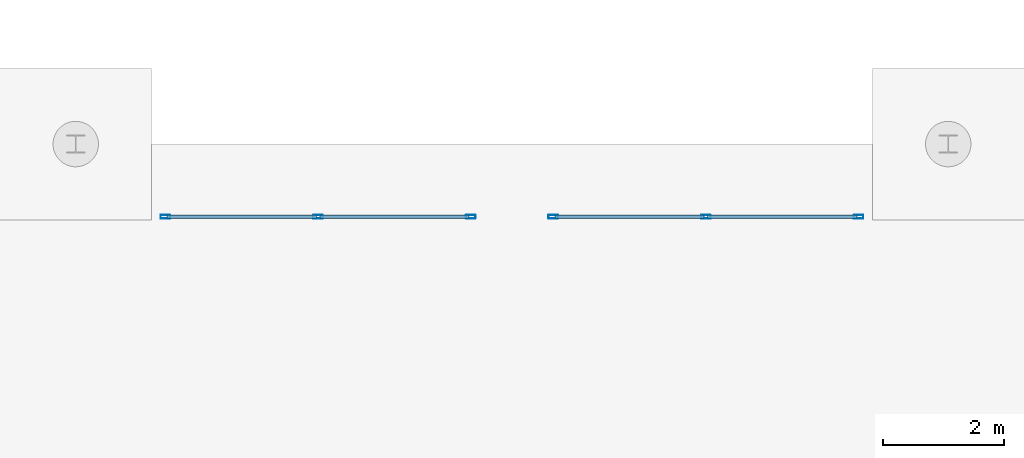
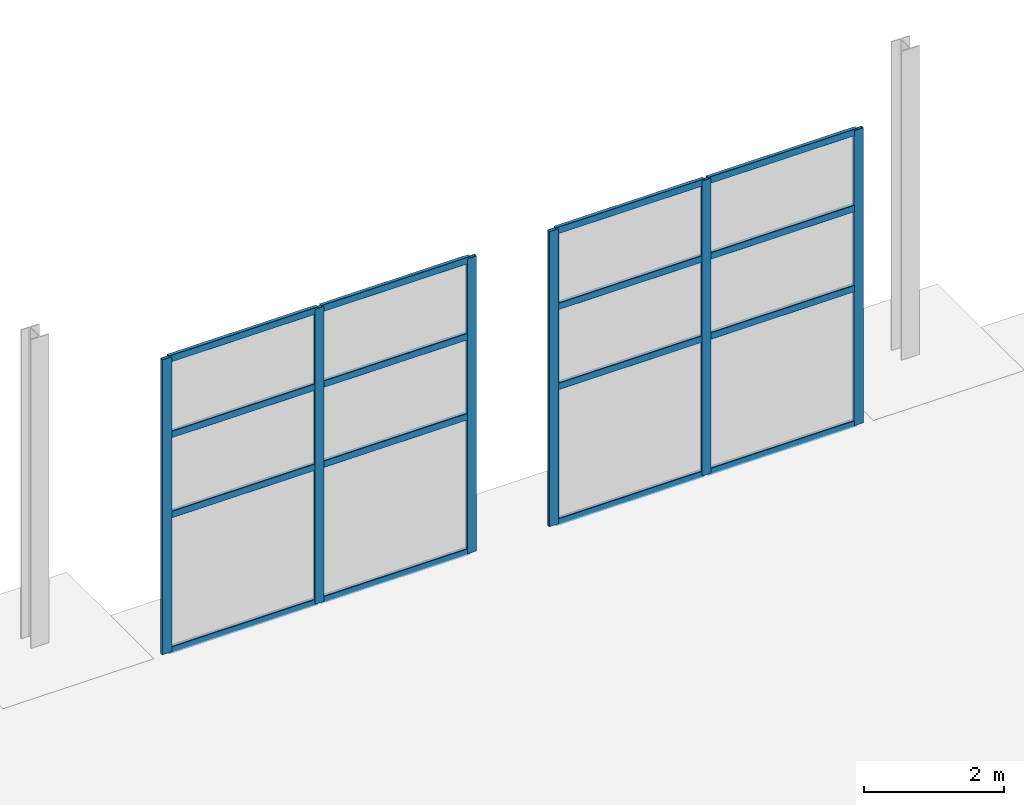
# One storey, part 41 of 91: 22 members, 2 elements without a shape of their own.
"""IFC4 building model written with IfcOpenShell, lengths in metres."""

from ifc_helpers import new_model, si_unit, direction, frame, origin, origin_2d, place, context, subcontext, project, spatial, hollow_rectangle, extrude, material, material_profile, profile_set, type_object, element, aggregate, save


model = new_model("IFC4")

# Units and contexts
model_context = context("Model", 3, precision=1e-05, world=origin(), true_north=direction((0.0, 1.0)))
body_context = subcontext(model_context, "Body", "Model", "MODEL_VIEW")
ifc_project = project(units=[si_unit("LENGTHUNIT", "METRE"), si_unit("AREAUNIT", "SQUARE_METRE"), si_unit("VOLUMEUNIT", "CUBIC_METRE"), si_unit("PLANEANGLEUNIT", "RADIAN"), si_unit("MASSUNIT", "GRAM", prefix="KILO")], contexts=[model_context])

# Site, building, storey
site_placement = place(None, origin())
site = spatial("IfcSite", under=ifc_project, at=site_placement, CompositionType="ELEMENT")
building_placement = place(site_placement, origin())
building = spatial("IfcBuilding", under=site, at=building_placement, Name="Bramveld Media Centre", CompositionType="ELEMENT")
storey_placement = place(building_placement, origin())
storey = spatial("IfcBuildingStorey", under=building, at=storey_placement, Name="L00", CompositionType="ELEMENT", Elevation=0.0)

# Curtain wall, members
ifc_material_1 = material(Name="Thermally broken anodized bronze aluminium unitized curtain wall with solar-control triple glazing", Category="aluminium")
curtain_wall_type = type_object("IfcCurtainWallType", Name="CW-GAL-5100x5160", PredefinedType="NOTDEFINED", material=ifc_material_1)
curtain_wall_1_placement = place(storey_placement, origin())
curtain_wall_1 = element("IfcCurtainWall", 1, at=curtain_wall_1_placement, inside=storey, type_object=curtain_wall_type, Name="COLN-N colonnade glazed screen 4", PredefinedType="NOTDEFINED")
ifc_material_2 = material(Name="Thermally broken anodized bronze aluminium EN AW-6063 T6 curtain-wall framing", Category="aluminium")
ifc_material_profile_1 = material_profile(ifc_material_2, hollow_rectangle(XDim=0.06005859375, YDim=0.159912109375, WallThickness=0.00390625, InnerFilletRadius=0.00390625, OuterFilletRadius=0.008056640625, at=origin_2d()), Name="AL-MULL 60x160")
ifc_profile_set_1 = profile_set([ifc_material_profile_1], Name="Thermally broken anodized bronze aluminium EN AW-6063 T6 curtain-wall framing")
member_type_1 = type_object("IfcMemberType", Name="CW-MULL-EXT", PredefinedType="MULLION", material=ifc_profile_set_1)
member_1_placement = place(storey_placement, frame((15.8798828125, 110.800048828125, 0.0), z_axis=(0.0, 0.0, 1.0), x_axis=(0.0, 1.0, 0.0)))
member_1 = element("IfcMember", 2, at=member_1_placement, type_object=member_type_1, Name="CW-GA-5151 mullion 1", PredefinedType="MULLION", context=body_context, shape_type="SweptSolid", body=[
    extrude(hollow_rectangle(XDim=0.06005859375, YDim=0.159912109375, WallThickness=0.00390625, InnerFilletRadius=0.00390625, OuterFilletRadius=0.008056640625, at=origin_2d()), origin(), (0.0, 0.0, 1.0), 5.159912109375),
])
member_2_placement = place(storey_placement, frame((18.39990234375, 110.800048828125, 0.0), z_axis=(0.0, 0.0, 1.0), x_axis=(0.0, 1.0, 0.0)))
member_2 = element("IfcMember", 3, at=member_2_placement, type_object=member_type_1, Name="CW-GA-5151 mullion 2", PredefinedType="MULLION", context=body_context, shape_type="SweptSolid", body=[
    extrude(hollow_rectangle(XDim=0.06005859375, YDim=0.159912109375, WallThickness=0.00390625, InnerFilletRadius=0.00390625, OuterFilletRadius=0.008056640625, at=origin_2d()), origin(), (0.0, 0.0, 1.0), 5.159912109375),
])
member_3_placement = place(storey_placement, frame((20.919921875, 110.800048828125, 0.0), z_axis=(0.0, 0.0, 1.0), x_axis=(0.0, 1.0, 0.0)))
member_3 = element("IfcMember", 4, at=member_3_placement, type_object=member_type_1, Name="CW-GA-5151 mullion 3", PredefinedType="MULLION", context=body_context, shape_type="SweptSolid", body=[
    extrude(hollow_rectangle(XDim=0.06005859375, YDim=0.159912109375, WallThickness=0.00390625, InnerFilletRadius=0.00390625, OuterFilletRadius=0.008056640625, at=origin_2d()), origin(), (0.0, 0.0, 1.0), 5.159912109375),
])

curtain_wall_2_placement = place(storey_placement, origin())
curtain_wall_2 = element("IfcCurtainWall", 5, at=curtain_wall_2_placement, inside=storey, type_object=curtain_wall_type, Name="COLN-N colonnade glazed screen 5", PredefinedType="NOTDEFINED")
member_4_placement = place(storey_placement, frame((22.280029296875, 110.800048828125, 0.0), z_axis=(0.0, 0.0, 1.0), x_axis=(0.0, 1.0, 0.0)))
member_4 = element("IfcMember", 6, at=member_4_placement, type_object=member_type_1, Name="CW-GA-5151 mullion 1", PredefinedType="MULLION", context=body_context, shape_type="SweptSolid", body=[
    extrude(hollow_rectangle(XDim=0.06005859375, YDim=0.159912109375, WallThickness=0.00390625, InnerFilletRadius=0.00390625, OuterFilletRadius=0.008056640625, at=origin_2d()), origin(), (0.0, 0.0, 1.0), 5.159912109375),
])
member_5_placement = place(storey_placement, frame((24.800048828125, 110.800048828125, 0.0), z_axis=(0.0, 0.0, 1.0), x_axis=(0.0, 1.0, 0.0)))
member_5 = element("IfcMember", 7, at=member_5_placement, type_object=member_type_1, Name="CW-GA-5151 mullion 2", PredefinedType="MULLION", context=body_context, shape_type="SweptSolid", body=[
    extrude(hollow_rectangle(XDim=0.06005859375, YDim=0.159912109375, WallThickness=0.00390625, InnerFilletRadius=0.00390625, OuterFilletRadius=0.008056640625, at=origin_2d()), origin(), (0.0, 0.0, 1.0), 5.159912109375),
])
member_6_placement = place(storey_placement, frame((27.320068359375, 110.800048828125, 0.0), z_axis=(0.0, 0.0, 1.0), x_axis=(0.0, 1.0, 0.0)))
member_6 = element("IfcMember", 8, at=member_6_placement, type_object=member_type_1, Name="CW-GA-5151 mullion 3", PredefinedType="MULLION", context=body_context, shape_type="SweptSolid", body=[
    extrude(hollow_rectangle(XDim=0.06005859375, YDim=0.159912109375, WallThickness=0.00390625, InnerFilletRadius=0.00390625, OuterFilletRadius=0.008056640625, at=origin_2d()), origin(), (0.0, 0.0, 1.0), 5.159912109375),
])

# Member
ifc_material_3 = material(Name="Thermally broken anodized bronze aluminium EN AW-6063 T6 curtain-wall framing", Category="aluminium")
ifc_material_profile_2 = material_profile(ifc_material_3, hollow_rectangle(XDim=0.06005859375, YDim=0.1201171875, WallThickness=0.00341796875, InnerFilletRadius=0.00341796875, OuterFilletRadius=0.007080078125, at=origin_2d()), Name="AL-TRAN 60x120")
ifc_profile_set_2 = profile_set([ifc_material_profile_2], Name="Thermally broken anodized bronze aluminium EN AW-6063 T6 curtain-wall framing")
member_type_2 = type_object("IfcMemberType", Name="CW-TRAN-EXT", PredefinedType="USERDEFINED", material=ifc_profile_set_2)
member_7_placement = place(storey_placement, frame((15.909912109375, 110.800048828125, 0.030029296875), z_axis=(1.0, 0.0, 0.0), x_axis=(0.0, 1.0, 0.0)))
member_7 = element("IfcMember", 9, at=member_7_placement, type_object=member_type_2, Name="CW-GA-5151 transom 1.1", ObjectType="TRANSOM", PredefinedType="USERDEFINED", context=body_context, shape_type="SweptSolid", body=[
    extrude(hollow_rectangle(XDim=0.06005859375, YDim=0.1201171875, WallThickness=0.00341796875, InnerFilletRadius=0.00341796875, OuterFilletRadius=0.007080078125, at=origin_2d()), origin(), (0.0, 0.0, 1.0), 2.460205078125),
])

member_8_placement = place(storey_placement, frame((15.909912109375, 110.800048828125, 2.39990234375), z_axis=(1.0, 0.0, 0.0), x_axis=(0.0, 1.0, 0.0)))
member_8 = element("IfcMember", 10, at=member_8_placement, type_object=member_type_2, Name="CW-GA-5151 transom 1.2", ObjectType="TRANSOM", PredefinedType="USERDEFINED", context=body_context, shape_type="SweptSolid", body=[
    extrude(hollow_rectangle(XDim=0.06005859375, YDim=0.1201171875, WallThickness=0.00341796875, InnerFilletRadius=0.00341796875, OuterFilletRadius=0.007080078125, at=origin_2d()), origin(), (0.0, 0.0, 1.0), 2.460205078125),
])

member_9_placement = place(storey_placement, frame((15.909912109375, 110.800048828125, 3.800048828125), z_axis=(1.0, 0.0, 0.0), x_axis=(0.0, 1.0, 0.0)))
member_9 = element("IfcMember", 11, at=member_9_placement, type_object=member_type_2, Name="CW-GA-5151 transom 1.3", ObjectType="TRANSOM", PredefinedType="USERDEFINED", context=body_context, shape_type="SweptSolid", body=[
    extrude(hollow_rectangle(XDim=0.06005859375, YDim=0.1201171875, WallThickness=0.00341796875, InnerFilletRadius=0.00341796875, OuterFilletRadius=0.007080078125, at=origin_2d()), origin(), (0.0, 0.0, 1.0), 2.460205078125),
])

member_10_placement = place(storey_placement, frame((15.909912109375, 110.800048828125, 5.1298828125), z_axis=(1.0, 0.0, 0.0), x_axis=(0.0, 1.0, 0.0)))
member_10 = element("IfcMember", 12, at=member_10_placement, type_object=member_type_2, Name="CW-GA-5151 transom 1.4", ObjectType="TRANSOM", PredefinedType="USERDEFINED", context=body_context, shape_type="SweptSolid", body=[
    extrude(hollow_rectangle(XDim=0.06005859375, YDim=0.1201171875, WallThickness=0.00341796875, InnerFilletRadius=0.00341796875, OuterFilletRadius=0.007080078125, at=origin_2d()), origin(), (0.0, 0.0, 1.0), 2.460205078125),
])

member_11_placement = place(storey_placement, frame((18.429931640625, 110.800048828125, 0.030029296875), z_axis=(1.0, 0.0, 0.0), x_axis=(0.0, 1.0, 0.0)))
member_11 = element("IfcMember", 13, at=member_11_placement, type_object=member_type_2, Name="CW-GA-5151 transom 2.1", ObjectType="TRANSOM", PredefinedType="USERDEFINED", context=body_context, shape_type="SweptSolid", body=[
    extrude(hollow_rectangle(XDim=0.06005859375, YDim=0.1201171875, WallThickness=0.00341796875, InnerFilletRadius=0.00341796875, OuterFilletRadius=0.007080078125, at=origin_2d()), origin(), (0.0, 0.0, 1.0), 2.4599609375),
])

member_12_placement = place(storey_placement, frame((18.429931640625, 110.800048828125, 2.39990234375), z_axis=(1.0, 0.0, 0.0), x_axis=(0.0, 1.0, 0.0)))
member_12 = element("IfcMember", 14, at=member_12_placement, type_object=member_type_2, Name="CW-GA-5151 transom 2.2", ObjectType="TRANSOM", PredefinedType="USERDEFINED", context=body_context, shape_type="SweptSolid", body=[
    extrude(hollow_rectangle(XDim=0.06005859375, YDim=0.1201171875, WallThickness=0.00341796875, InnerFilletRadius=0.00341796875, OuterFilletRadius=0.007080078125, at=origin_2d()), origin(), (0.0, 0.0, 1.0), 2.4599609375),
])

member_13_placement = place(storey_placement, frame((18.429931640625, 110.800048828125, 3.800048828125), z_axis=(1.0, 0.0, 0.0), x_axis=(0.0, 1.0, 0.0)))
member_13 = element("IfcMember", 15, at=member_13_placement, type_object=member_type_2, Name="CW-GA-5151 transom 2.3", ObjectType="TRANSOM", PredefinedType="USERDEFINED", context=body_context, shape_type="SweptSolid", body=[
    extrude(hollow_rectangle(XDim=0.06005859375, YDim=0.1201171875, WallThickness=0.00341796875, InnerFilletRadius=0.00341796875, OuterFilletRadius=0.007080078125, at=origin_2d()), origin(), (0.0, 0.0, 1.0), 2.4599609375),
])

member_14_placement = place(storey_placement, frame((18.429931640625, 110.800048828125, 5.1298828125), z_axis=(1.0, 0.0, 0.0), x_axis=(0.0, 1.0, 0.0)))
member_14 = element("IfcMember", 16, at=member_14_placement, type_object=member_type_2, Name="CW-GA-5151 transom 2.4", ObjectType="TRANSOM", PredefinedType="USERDEFINED", context=body_context, shape_type="SweptSolid", body=[
    extrude(hollow_rectangle(XDim=0.06005859375, YDim=0.1201171875, WallThickness=0.00341796875, InnerFilletRadius=0.00341796875, OuterFilletRadius=0.007080078125, at=origin_2d()), origin(), (0.0, 0.0, 1.0), 2.4599609375),
])

aggregate(curtain_wall_1, [member_1, member_2, member_3, member_7, member_8, member_9, member_10, member_11, member_12, member_13, member_14])

member_15_placement = place(storey_placement, frame((22.31005859375, 110.800048828125, 0.030029296875), z_axis=(1.0, 0.0, 0.0), x_axis=(0.0, 1.0, 0.0)))
member_15 = element("IfcMember", 17, at=member_15_placement, type_object=member_type_2, Name="CW-GA-5151 transom 1.1", ObjectType="TRANSOM", PredefinedType="USERDEFINED", context=body_context, shape_type="SweptSolid", body=[
    extrude(hollow_rectangle(XDim=0.06005859375, YDim=0.1201171875, WallThickness=0.00341796875, InnerFilletRadius=0.00341796875, OuterFilletRadius=0.007080078125, at=origin_2d()), origin(), (0.0, 0.0, 1.0), 2.4599609375),
])

member_16_placement = place(storey_placement, frame((22.31005859375, 110.800048828125, 2.39990234375), z_axis=(1.0, 0.0, 0.0), x_axis=(0.0, 1.0, 0.0)))
member_16 = element("IfcMember", 18, at=member_16_placement, type_object=member_type_2, Name="CW-GA-5151 transom 1.2", ObjectType="TRANSOM", PredefinedType="USERDEFINED", context=body_context, shape_type="SweptSolid", body=[
    extrude(hollow_rectangle(XDim=0.06005859375, YDim=0.1201171875, WallThickness=0.00341796875, InnerFilletRadius=0.00341796875, OuterFilletRadius=0.007080078125, at=origin_2d()), origin(), (0.0, 0.0, 1.0), 2.4599609375),
])

member_17_placement = place(storey_placement, frame((22.31005859375, 110.800048828125, 3.800048828125), z_axis=(1.0, 0.0, 0.0), x_axis=(0.0, 1.0, 0.0)))
member_17 = element("IfcMember", 19, at=member_17_placement, type_object=member_type_2, Name="CW-GA-5151 transom 1.3", ObjectType="TRANSOM", PredefinedType="USERDEFINED", context=body_context, shape_type="SweptSolid", body=[
    extrude(hollow_rectangle(XDim=0.06005859375, YDim=0.1201171875, WallThickness=0.00341796875, InnerFilletRadius=0.00341796875, OuterFilletRadius=0.007080078125, at=origin_2d()), origin(), (0.0, 0.0, 1.0), 2.4599609375),
])

member_18_placement = place(storey_placement, frame((22.31005859375, 110.800048828125, 5.1298828125), z_axis=(1.0, 0.0, 0.0), x_axis=(0.0, 1.0, 0.0)))
member_18 = element("IfcMember", 20, at=member_18_placement, type_object=member_type_2, Name="CW-GA-5151 transom 1.4", ObjectType="TRANSOM", PredefinedType="USERDEFINED", context=body_context, shape_type="SweptSolid", body=[
    extrude(hollow_rectangle(XDim=0.06005859375, YDim=0.1201171875, WallThickness=0.00341796875, InnerFilletRadius=0.00341796875, OuterFilletRadius=0.007080078125, at=origin_2d()), origin(), (0.0, 0.0, 1.0), 2.4599609375),
])

member_19_placement = place(storey_placement, frame((24.830078125, 110.800048828125, 0.030029296875), z_axis=(1.0, 0.0, 0.0), x_axis=(0.0, 1.0, 0.0)))
member_19 = element("IfcMember", 21, at=member_19_placement, type_object=member_type_2, Name="CW-GA-5151 transom 2.1", ObjectType="TRANSOM", PredefinedType="USERDEFINED", context=body_context, shape_type="SweptSolid", body=[
    extrude(hollow_rectangle(XDim=0.06005859375, YDim=0.1201171875, WallThickness=0.00341796875, InnerFilletRadius=0.00341796875, OuterFilletRadius=0.007080078125, at=origin_2d()), origin(), (0.0, 0.0, 1.0), 2.4599609375),
])

member_20_placement = place(storey_placement, frame((24.830078125, 110.800048828125, 2.39990234375), z_axis=(1.0, 0.0, 0.0), x_axis=(0.0, 1.0, 0.0)))
member_20 = element("IfcMember", 22, at=member_20_placement, type_object=member_type_2, Name="CW-GA-5151 transom 2.2", ObjectType="TRANSOM", PredefinedType="USERDEFINED", context=body_context, shape_type="SweptSolid", body=[
    extrude(hollow_rectangle(XDim=0.06005859375, YDim=0.1201171875, WallThickness=0.00341796875, InnerFilletRadius=0.00341796875, OuterFilletRadius=0.007080078125, at=origin_2d()), origin(), (0.0, 0.0, 1.0), 2.4599609375),
])

member_21_placement = place(storey_placement, frame((24.830078125, 110.800048828125, 3.800048828125), z_axis=(1.0, 0.0, 0.0), x_axis=(0.0, 1.0, 0.0)))
member_21 = element("IfcMember", 23, at=member_21_placement, type_object=member_type_2, Name="CW-GA-5151 transom 2.3", ObjectType="TRANSOM", PredefinedType="USERDEFINED", context=body_context, shape_type="SweptSolid", body=[
    extrude(hollow_rectangle(XDim=0.06005859375, YDim=0.1201171875, WallThickness=0.00341796875, InnerFilletRadius=0.00341796875, OuterFilletRadius=0.007080078125, at=origin_2d()), origin(), (0.0, 0.0, 1.0), 2.4599609375),
])

member_22_placement = place(storey_placement, frame((24.830078125, 110.800048828125, 5.1298828125), z_axis=(1.0, 0.0, 0.0), x_axis=(0.0, 1.0, 0.0)))
member_22 = element("IfcMember", 24, at=member_22_placement, type_object=member_type_2, Name="CW-GA-5151 transom 2.4", ObjectType="TRANSOM", PredefinedType="USERDEFINED", context=body_context, shape_type="SweptSolid", body=[
    extrude(hollow_rectangle(XDim=0.06005859375, YDim=0.1201171875, WallThickness=0.00341796875, InnerFilletRadius=0.00341796875, OuterFilletRadius=0.007080078125, at=origin_2d()), origin(), (0.0, 0.0, 1.0), 2.4599609375),
])

aggregate(curtain_wall_2, [member_4, member_5, member_6, member_15, member_16, member_17, member_18, member_19, member_20, member_21, member_22])

save(model, "model.ifc")
